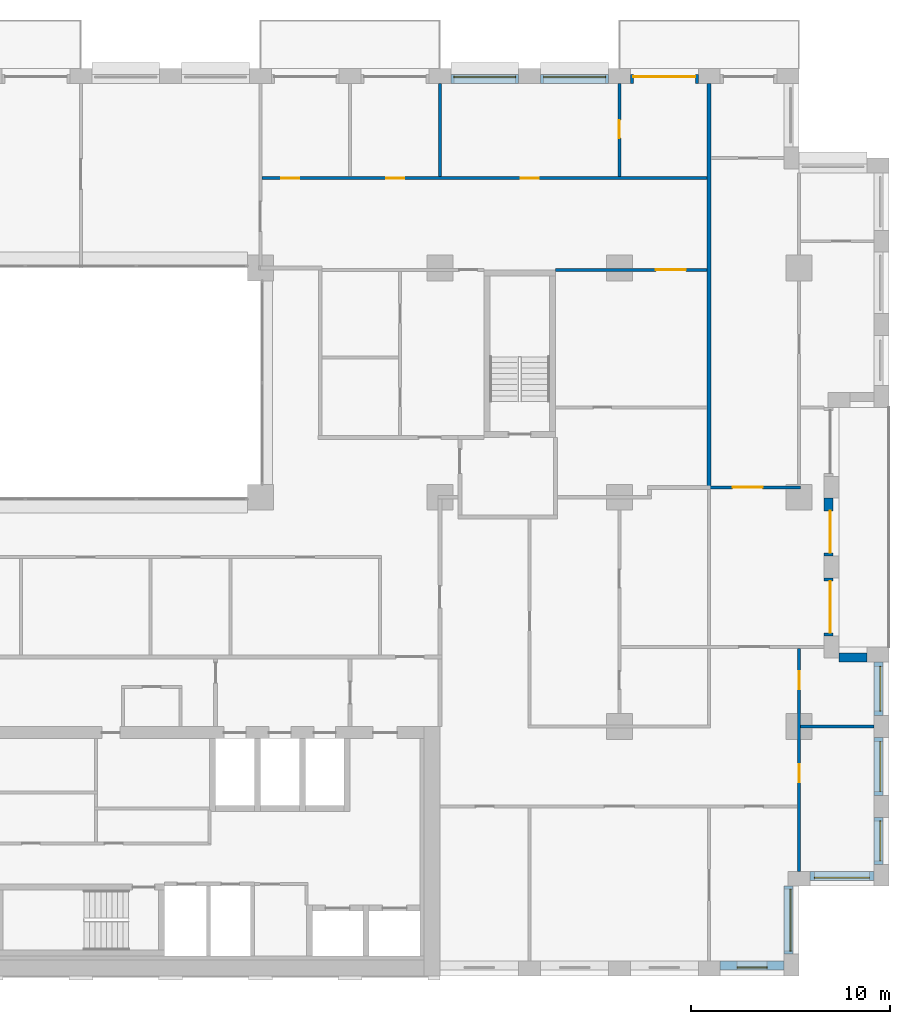
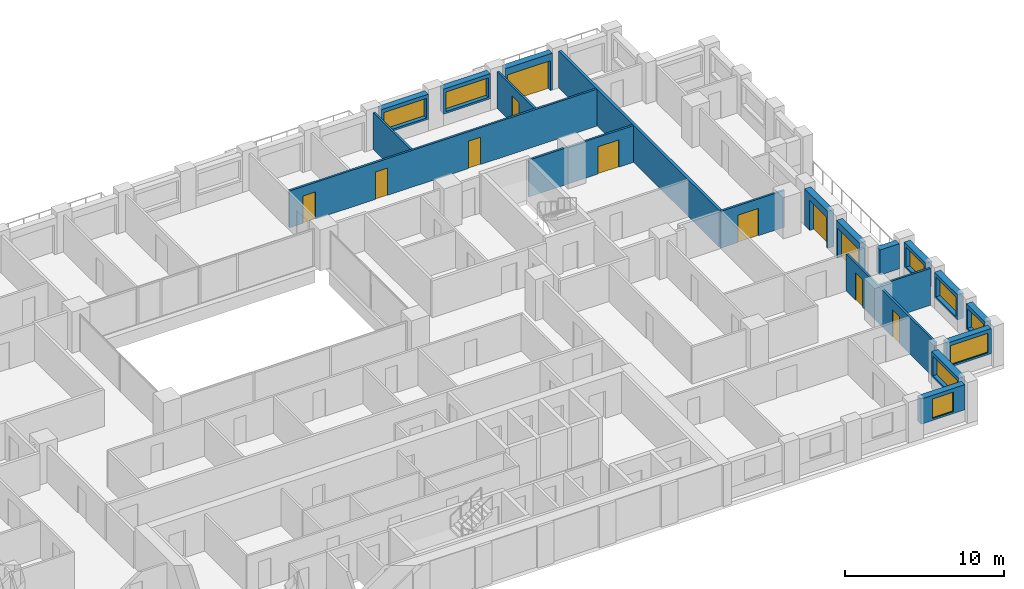
# One storey, part 14 of 16: 20 walls, 11 doors, 8 windows, 19 openings.
"""IFC4 building model written with IfcOpenShell, lengths in metres."""

from ifc_helpers import new_model, si_unit, direction, frame, frame_2d, origin, place, context, subcontext, project, spatial, rectangle, extrude, material, layer, layer_set, type_object, element, fill, save


model = new_model("IFC4")

# Units and contexts
model_context = context("Model", 3, precision=1e-05, world=origin(), true_north=direction((0.0, 1.0)))
body_context = subcontext(model_context, "Body", "Model", "MODEL_VIEW")
ifc_project = project(units=[si_unit("LENGTHUNIT", "METRE"), si_unit("AREAUNIT", "SQUARE_METRE"), si_unit("VOLUMEUNIT", "CUBIC_METRE"), si_unit("PLANEANGLEUNIT", "RADIAN"), si_unit("MASSUNIT", "GRAM", prefix="KILO")], contexts=[model_context])

# Site, building, storey
site_placement = place(None, origin())
site = spatial("IfcSite", under=ifc_project, at=site_placement, CompositionType="ELEMENT")
building_placement = place(site_placement, origin())
building = spatial("IfcBuilding", under=site, at=building_placement, Name="Brigalow Station Residences", CompositionType="ELEMENT")
storey_placement = place(building_placement, frame((0.0, 0.0, 121.35009765625)))
storey = spatial("IfcBuildingStorey", under=building, at=storey_placement, Name="L35", CompositionType="ELEMENT", Elevation=121.35009765625)

# Wall, opening, window
ifc_material_1 = material(Name="Clay brick masonry", Category="masonry")
ifc_layer_1 = layer(ifc_material_1, 0.449951171875)
ifc_layer_set_1 = layer_set([ifc_layer_1], Name="BRICK INFILL WALL 450")
wall_type_1 = type_object("IfcWallType", Name="BRICK INFILL WALL 450", PredefinedType="SOLIDWALL", material=ifc_layer_set_1)
wall_1_placement = place(storey_placement, frame((68.050048828125, 0.52490234375, 0.89990234375), z_axis=(0.0, 0.0, 1.0), x_axis=(1.0, 0.0, 0.0)))
wall_1 = element("IfcWall", 1, at=wall_1_placement, inside=storey, type_object=wall_type_1, Name="L35/ewall/W-L35-7", PredefinedType="SOLIDWALL", context=body_context, shape_type="SweptSolid", body=[
    extrude(rectangle(XDim=3.199951171875, YDim=0.449951171875, at=frame_2d((1.60009765625, 0.0))), origin(), (0.0, 0.0, 1.0), 1.929931640625),
])
opening_1_placement = place(wall_1_placement, frame((0.85009765625, 0.0, 0.14990234375)))
opening_1 = element("IfcOpeningElement", 2, at=opening_1_placement, cuts=wall_1, Name="Opening WT-1", PredefinedType="OPENING", context=body_context, shape_type="SweptSolid", body=[
    extrude(rectangle(XDim=1.5, YDim=1.5, at=frame_2d((0.75, 0.75))), frame((0.0, 0.23486328125, 0.0), z_axis=(0.0, -1.0, 0.0), x_axis=(1.0, 0.0, 0.0)), (0.0, 0.0, 1.0), 0.469970703125),
])
ifc_material_2 = material(Name="Anodised aluminium frame with double glazing", Category="aluminium")
window_type_1 = type_object("IfcWindowType", Name="WINDOW 1500x1500", PartitioningType="SINGLE_PANEL", PredefinedType="WINDOW", material=ifc_material_2)
window_1_placement = place(opening_1_placement, origin())
window_1 = element("IfcWindow", 3, at=window_1_placement, inside=storey, type_object=window_type_1, Name="L35/window/W-L35-7", OverallHeight=1.5, OverallWidth=1.5, PartitioningType="SINGLE_PANEL", PredefinedType="WINDOW", context=body_context, shape_type="SweptSolid", body=[
    extrude(rectangle(XDim=1.5, YDim=1.5, at=frame_2d((0.75, 0.75))), frame((0.0, -0.06494140625, 0.0), z_axis=(0.0, -1.0, 0.0), x_axis=(1.0, 0.0, 0.0)), (0.0, 0.0, 1.0), 0.06005859375),
])
fill(opening_1, window_1)

wall_2_placement = place(storey_placement, frame((71.47509765625, 1.10009765625, 0.89990234375), z_axis=(0.0, 0.0, 1.0), x_axis=(0.0, 1.0, 0.0)))
wall_2 = element("IfcWall", 4, at=wall_2_placement, inside=storey, type_object=wall_type_1, Name="L35/ewall/W-L35-8", PredefinedType="SOLIDWALL", context=body_context, shape_type="SweptSolid", body=[
    extrude(rectangle(XDim=3.39990234375, YDim=0.449951171875, at=frame_2d((1.699951171875, 0.0))), origin(), (0.0, 0.0, 1.0), 1.929931640625),
])
opening_2_placement = place(wall_2_placement, frame((0.14990234375, 0.0, 0.14990234375)))
opening_2 = element("IfcOpeningElement", 5, at=opening_2_placement, cuts=wall_2, Name="Opening WT-8", PredefinedType="OPENING", context=body_context, shape_type="SweptSolid", body=[
    extrude(rectangle(XDim=3.10009765625, YDim=1.5, at=frame_2d((1.550048828125, 0.75))), frame((0.0, 0.23486328125, 0.0), z_axis=(0.0, -1.0, 0.0), x_axis=(1.0, 0.0, 0.0)), (0.0, 0.0, 1.0), 0.469970703125),
])
ifc_material_3 = material(Name="Anodised aluminium frame with double glazing", Category="aluminium")
window_type_2 = type_object("IfcWindowType", Name="WINDOW 3100x1500", PartitioningType="SINGLE_PANEL", PredefinedType="WINDOW", material=ifc_material_3)
window_2_placement = place(opening_2_placement, origin())
window_2 = element("IfcWindow", 6, at=window_2_placement, inside=storey, type_object=window_type_2, Name="L35/window/W-L35-8", OverallHeight=1.5, OverallWidth=3.10009765625, PartitioningType="SINGLE_PANEL", PredefinedType="WINDOW", context=body_context, shape_type="SweptSolid", body=[
    extrude(rectangle(XDim=3.10009765625, YDim=1.5, at=frame_2d((1.550048828125, 0.75))), frame((0.0, -0.06494140625, 0.0), z_axis=(0.0, -1.0, 0.0), x_axis=(1.0, 0.0, 0.0)), (0.0, 0.0, 1.0), 0.06005859375),
])
fill(opening_2, window_2)

wall_3_placement = place(storey_placement, frame((72.550048828125, 5.02490234375, 0.89990234375), z_axis=(0.0, 0.0, 1.0), x_axis=(1.0, 0.0, 0.0)))
wall_3 = element("IfcWall", 7, at=wall_3_placement, inside=storey, type_object=wall_type_1, Name="L35/ewall/W-L35-9", PredefinedType="SOLIDWALL", context=body_context, shape_type="SweptSolid", body=[
    extrude(rectangle(XDim=3.199951171875, YDim=0.449951171875, at=frame_2d((1.60009765625, 0.0))), origin(), (0.0, 0.0, 1.0), 1.929931640625),
])
opening_3_placement = place(wall_3_placement, frame((0.22509765625, 0.0, 0.14990234375)))
opening_3 = element("IfcOpeningElement", 8, at=opening_3_placement, cuts=wall_3, Name="Opening WT-3", PredefinedType="OPENING", context=body_context, shape_type="SweptSolid", body=[
    extrude(rectangle(XDim=2.75, YDim=1.5, at=frame_2d((1.375, 0.75))), frame((0.0, 0.23486328125, 0.0), z_axis=(0.0, -1.0, 0.0), x_axis=(1.0, 0.0, 0.0)), (0.0, 0.0, 1.0), 0.469970703125),
])
ifc_material_4 = material(Name="Anodised aluminium frame with double glazing", Category="aluminium")
window_type_3 = type_object("IfcWindowType", Name="WINDOW 2750x1500", PartitioningType="SINGLE_PANEL", PredefinedType="WINDOW", material=ifc_material_4)
window_3_placement = place(opening_3_placement, origin())
window_3 = element("IfcWindow", 9, at=window_3_placement, inside=storey, type_object=window_type_3, Name="L35/window/W-L35-9", OverallHeight=1.5, OverallWidth=2.75, PartitioningType="SINGLE_PANEL", PredefinedType="WINDOW", context=body_context, shape_type="SweptSolid", body=[
    extrude(rectangle(XDim=2.75, YDim=1.5, at=frame_2d((1.375, 0.75))), frame((0.0, -0.06494140625, 0.0), z_axis=(0.0, -1.0, 0.0), x_axis=(1.0, 0.0, 0.0)), (0.0, 0.0, 1.0), 0.06005859375),
])
fill(opening_3, window_3)

wall_4_placement = place(storey_placement, frame((75.97509765625, 5.60009765625, 0.89990234375), z_axis=(0.0, 0.0, 1.0), x_axis=(0.0, 1.0, 0.0)))
wall_4 = element("IfcWall", 10, at=wall_4_placement, inside=storey, type_object=wall_type_1, Name="L35/ewall/W-L35-10", PredefinedType="SOLIDWALL", context=body_context, shape_type="SweptSolid", body=[
    extrude(rectangle(XDim=2.349853515625, YDim=0.449951171875, at=frame_2d((1.1748046875, 0.0))), origin(), (0.0, 0.0, 1.0), 1.929931640625),
])
opening_4_placement = place(wall_4_placement, frame((0.175048828125, 0.0, 0.14990234375)))
opening_4 = element("IfcOpeningElement", 11, at=opening_4_placement, cuts=wall_4, Name="Opening WT-7", PredefinedType="OPENING", context=body_context, shape_type="SweptSolid", body=[
    extrude(rectangle(XDim=2.0, YDim=1.5, at=frame_2d((1.0, 0.75))), frame((0.0, 0.23486328125, 0.0), z_axis=(0.0, -1.0, 0.0), x_axis=(1.0, 0.0, 0.0)), (0.0, 0.0, 1.0), 0.469970703125),
])
ifc_material_5 = material(Name="Anodised aluminium frame with double glazing", Category="aluminium")
window_type_4 = type_object("IfcWindowType", Name="WINDOW 2000x1500", PartitioningType="SINGLE_PANEL", PredefinedType="WINDOW", material=ifc_material_5)
window_4_placement = place(opening_4_placement, origin())
window_4 = element("IfcWindow", 12, at=window_4_placement, inside=storey, type_object=window_type_4, Name="L35/window/W-L35-10", OverallHeight=1.5, OverallWidth=2.0, PartitioningType="SINGLE_PANEL", PredefinedType="WINDOW", context=body_context, shape_type="SweptSolid", body=[
    extrude(rectangle(XDim=2.0, YDim=1.5, at=frame_2d((1.0, 0.75))), frame((0.0, -0.06494140625, 0.0), z_axis=(0.0, -1.0, 0.0), x_axis=(1.0, 0.0, 0.0)), (0.0, 0.0, 1.0), 0.06005859375),
])
fill(opening_4, window_4)

wall_5_placement = place(storey_placement, frame((75.97509765625, 9.050048828125, 0.89990234375), z_axis=(0.0, 0.0, 1.0), x_axis=(0.0, 1.0, 0.0)))
wall_5 = element("IfcWall", 13, at=wall_5_placement, inside=storey, type_object=wall_type_1, Name="L35/ewall/W-L35-11", PredefinedType="SOLIDWALL", context=body_context, shape_type="SweptSolid", body=[
    extrude(rectangle(XDim=2.89990234375, YDim=0.449951171875, at=frame_2d((1.449951171875, 0.0))), origin(), (0.0, 0.0, 1.0), 1.929931640625),
])
opening_5_placement = place(wall_5_placement, frame((0.199951171875, 0.0, 0.14990234375)))
opening_5 = element("IfcOpeningElement", 14, at=opening_5_placement, cuts=wall_5, Name="Opening WT-5", PredefinedType="OPENING", context=body_context, shape_type="SweptSolid", body=[
    extrude(rectangle(XDim=2.5, YDim=1.5, at=frame_2d((1.25, 0.75))), frame((0.0, 0.23486328125, 0.0), z_axis=(0.0, -1.0, 0.0), x_axis=(1.0, 0.0, 0.0)), (0.0, 0.0, 1.0), 0.469970703125),
])
ifc_material_6 = material(Name="Anodised aluminium frame with double glazing", Category="aluminium")
window_type_5 = type_object("IfcWindowType", Name="WINDOW 2500x1500", PartitioningType="SINGLE_PANEL", PredefinedType="WINDOW", material=ifc_material_6)
window_5_placement = place(opening_5_placement, origin())
window_5 = element("IfcWindow", 15, at=window_5_placement, inside=storey, type_object=window_type_5, Name="L35/window/W-L35-11", OverallHeight=1.5, OverallWidth=2.5, PartitioningType="SINGLE_PANEL", PredefinedType="WINDOW", context=body_context, shape_type="SweptSolid", body=[
    extrude(rectangle(XDim=2.5, YDim=1.5, at=frame_2d((1.25, 0.75))), frame((0.0, -0.06494140625, 0.0), z_axis=(0.0, -1.0, 0.0), x_axis=(1.0, 0.0, 0.0)), (0.0, 0.0, 1.0), 0.06005859375),
])
fill(opening_5, window_5)

wall_6_placement = place(storey_placement, frame((75.97509765625, 13.050048828125, 0.89990234375), z_axis=(0.0, 0.0, 1.0), x_axis=(0.0, 1.0, 0.0)))
wall_6 = element("IfcWall", 16, at=wall_6_placement, inside=storey, type_object=wall_type_1, Name="L35/ewall/W-L35-12", PredefinedType="SOLIDWALL", context=body_context, shape_type="SweptSolid", body=[
    extrude(rectangle(XDim=2.699951171875, YDim=0.449951171875, at=frame_2d((1.35009765625, 0.0))), origin(), (0.0, 0.0, 1.0), 1.929931640625),
])
opening_6_placement = place(wall_6_placement, frame((0.22509765625, 0.0, 0.14990234375)))
opening_6 = element("IfcOpeningElement", 17, at=opening_6_placement, cuts=wall_6, Name="Opening WT-6", PredefinedType="OPENING", context=body_context, shape_type="SweptSolid", body=[
    extrude(rectangle(XDim=2.25, YDim=1.5, at=frame_2d((1.125, 0.75))), frame((0.0, 0.23486328125, 0.0), z_axis=(0.0, -1.0, 0.0), x_axis=(1.0, 0.0, 0.0)), (0.0, 0.0, 1.0), 0.469970703125),
])
ifc_material_7 = material(Name="Anodised aluminium frame with double glazing", Category="aluminium")
window_type_6 = type_object("IfcWindowType", Name="WINDOW 2250x1500", PartitioningType="SINGLE_PANEL", PredefinedType="WINDOW", material=ifc_material_7)
window_6_placement = place(opening_6_placement, origin())
window_6 = element("IfcWindow", 18, at=window_6_placement, inside=storey, type_object=window_type_6, Name="L35/window/W-L35-12", OverallHeight=1.5, OverallWidth=2.25, PartitioningType="SINGLE_PANEL", PredefinedType="WINDOW", context=body_context, shape_type="SweptSolid", body=[
    extrude(rectangle(XDim=2.25, YDim=1.5, at=frame_2d((1.125, 0.75))), frame((0.0, -0.06494140625, 0.0), z_axis=(0.0, -1.0, 0.0), x_axis=(1.0, 0.0, 0.0)), (0.0, 0.0, 1.0), 0.06005859375),
])
fill(opening_6, window_6)

# Wall
wall_7_placement = place(storey_placement, frame((75.39990234375, 15.97509765625, 0.89990234375), z_axis=(0.0, 0.0, 1.0), x_axis=(-1.0, 0.0, 0.0)))
element("IfcWall", 19, at=wall_7_placement, inside=storey, type_object=wall_type_1, Name="L35/ewall/W-L35-13", PredefinedType="SOLIDWALL", context=body_context, shape_type="SweptSolid", body=[
    extrude(rectangle(XDim=1.39990234375, YDim=0.449951171875, at=frame_2d((0.699951171875, 0.0))), origin(), (0.0, 0.0, 1.0), 1.929931640625),
])

# Wall, opening, door
wall_8_placement = place(storey_placement, frame((73.47509765625, 17.050048828125, 0.0), z_axis=(0.0, 0.0, 1.0), x_axis=(0.0, 1.0, 0.0)))
wall_8 = element("IfcWall", 20, at=wall_8_placement, inside=storey, type_object=wall_type_1, Name="L35/ewall/W-L35-14", PredefinedType="SOLIDWALL", context=body_context, shape_type="SweptSolid", body=[
    extrude(rectangle(XDim=2.89990234375, YDim=0.449951171875, at=frame_2d((1.449951171875, 0.0))), origin(), (0.0, 0.0, 1.0), 2.829833984375),
])
opening_7_placement = place(wall_8_placement, frame((0.14990234375, 0.0, 0.0)))
opening_7 = element("IfcOpeningElement", 21, at=opening_7_placement, cuts=wall_8, Name="Opening D-B2600", PredefinedType="OPENING", context=body_context, shape_type="SweptSolid", body=[
    extrude(rectangle(XDim=2.60009765625, YDim=2.300048828125, at=frame_2d((1.300048828125, 1.14990234375))), frame((0.0, 0.23486328125, 0.0), z_axis=(0.0, -1.0, 0.0), x_axis=(1.0, 0.0, 0.0)), (0.0, 0.0, 1.0), 0.469970703125),
])
ifc_material_8 = material(Name="Anodised aluminium frame with double glazing", Category="aluminium")
door_type_1 = type_object("IfcDoorType", Name="BALCONY SLIDING DOOR 2600x2300", OperationType="SLIDING_TO_LEFT", PredefinedType="DOOR", material=ifc_material_8)
door_1_placement = place(opening_7_placement, origin())
door_1 = element("IfcDoor", 22, at=door_1_placement, inside=storey, type_object=door_type_1, Name="L35/balcony-door/W-L35-14", OperationType="SLIDING_TO_LEFT", OverallHeight=2.300048828125, OverallWidth=2.60009765625, PredefinedType="DOOR", context=body_context, shape_type="SweptSolid", body=[
    extrude(rectangle(XDim=2.60009765625, YDim=2.300048828125, at=frame_2d((1.300048828125, 1.14990234375))), frame((0.0, -0.06982421875, 0.0), z_axis=(0.0, -1.0, 0.0), x_axis=(1.0, 0.0, 0.0)), (0.0, 0.0, 1.0), 0.050048828125),
])
fill(opening_7, door_1)

wall_9_placement = place(storey_placement, frame((73.47509765625, 21.050048828125, 0.0), z_axis=(0.0, 0.0, 1.0), x_axis=(0.0, 1.0, 0.0)))
wall_9 = element("IfcWall", 23, at=wall_9_placement, inside=storey, type_object=wall_type_1, Name="L35/ewall/W-L35-15", PredefinedType="SOLIDWALL", context=body_context, shape_type="SweptSolid", body=[
    extrude(rectangle(XDim=2.89990234375, YDim=0.449951171875, at=frame_2d((1.449951171875, 0.0))), origin(), (0.0, 0.0, 1.0), 2.829833984375),
])
opening_8_placement = place(wall_9_placement, frame((0.1650390625, 0.0, 0.0)))
opening_8 = element("IfcOpeningElement", 24, at=opening_8_placement, cuts=wall_9, Name="Opening D-B2100", PredefinedType="OPENING", context=body_context, shape_type="SweptSolid", body=[
    extrude(rectangle(XDim=2.10009765625, YDim=2.300048828125, at=frame_2d((1.050048828125, 1.14990234375))), frame((0.0, 0.23486328125, 0.0), z_axis=(0.0, -1.0, 0.0), x_axis=(1.0, 0.0, 0.0)), (0.0, 0.0, 1.0), 0.469970703125),
])
ifc_material_9 = material(Name="Anodised aluminium frame with double glazing", Category="aluminium")
door_type_2 = type_object("IfcDoorType", Name="BALCONY SLIDING DOOR 2100x2300", OperationType="SLIDING_TO_LEFT", PredefinedType="DOOR", material=ifc_material_9)
door_2_placement = place(opening_8_placement, origin())
door_2 = element("IfcDoor", 25, at=door_2_placement, inside=storey, type_object=door_type_2, Name="L35/balcony-door/W-L35-15", OperationType="SLIDING_TO_LEFT", OverallHeight=2.300048828125, OverallWidth=2.10009765625, PredefinedType="DOOR", context=body_context, shape_type="SweptSolid", body=[
    extrude(rectangle(XDim=2.10009765625, YDim=2.300048828125, at=frame_2d((1.050048828125, 1.14990234375))), frame((0.0, -0.06982421875, 0.0), z_axis=(0.0, -1.0, 0.0), x_axis=(1.0, 0.0, 0.0)), (0.0, 0.0, 1.0), 0.050048828125),
])
fill(opening_8, door_2)

wall_10_placement = place(storey_placement, frame((66.949951171875, 44.97509765625, 0.0), z_axis=(0.0, 0.0, 1.0), x_axis=(-1.0, 0.0, 0.0)))
wall_10 = element("IfcWall", 26, at=wall_10_placement, inside=storey, type_object=wall_type_1, Name="L35/ewall/W-L35-24", PredefinedType="SOLIDWALL", context=body_context, shape_type="SweptSolid", body=[
    extrude(rectangle(XDim=3.39990234375, YDim=0.449951171875, at=frame_2d((1.699951171875, 0.0))), origin(), (0.0, 0.0, 1.0), 2.829833984375),
])
opening_9_placement = place(wall_10_placement, frame((0.14990234375, 0.0, 0.0)))
opening_9 = element("IfcOpeningElement", 27, at=opening_9_placement, cuts=wall_10, Name="Opening D-B3100", PredefinedType="OPENING", context=body_context, shape_type="SweptSolid", body=[
    extrude(rectangle(XDim=3.10009765625, YDim=2.300048828125, at=frame_2d((1.550048828125, 1.14990234375))), frame((0.0, 0.23486328125, 0.0), z_axis=(0.0, -1.0, 0.0), x_axis=(1.0, 0.0, 0.0)), (0.0, 0.0, 1.0), 0.469970703125),
])
ifc_material_10 = material(Name="Anodised aluminium frame with double glazing", Category="aluminium")
door_type_3 = type_object("IfcDoorType", Name="BALCONY SLIDING DOOR 3100x2300", OperationType="SLIDING_TO_LEFT", PredefinedType="DOOR", material=ifc_material_10)
door_3_placement = place(opening_9_placement, origin())
door_3 = element("IfcDoor", 28, at=door_3_placement, inside=storey, type_object=door_type_3, Name="L35/balcony-door/W-L35-24", OperationType="SLIDING_TO_LEFT", OverallHeight=2.300048828125, OverallWidth=3.10009765625, PredefinedType="DOOR", context=body_context, shape_type="SweptSolid", body=[
    extrude(rectangle(XDim=3.10009765625, YDim=2.300048828125, at=frame_2d((1.550048828125, 1.14990234375))), frame((0.0, -0.06982421875, 0.0), z_axis=(0.0, -1.0, 0.0), x_axis=(1.0, 0.0, 0.0)), (0.0, 0.0, 1.0), 0.050048828125),
])
fill(opening_9, door_3)

# Wall, opening, window
wall_11_placement = place(storey_placement, frame((62.449951171875, 44.97509765625, 0.89990234375), z_axis=(0.0, 0.0, 1.0), x_axis=(-1.0, 0.0, 0.0)))
wall_11 = element("IfcWall", 29, at=wall_11_placement, inside=storey, type_object=wall_type_1, Name="L35/ewall/W-L35-25", PredefinedType="SOLIDWALL", context=body_context, shape_type="SweptSolid", body=[
    extrude(rectangle(XDim=3.39990234375, YDim=0.449951171875, at=frame_2d((1.699951171875, 0.0))), origin(), (0.0, 0.0, 1.0), 1.929931640625),
])
opening_10_placement = place(wall_11_placement, frame((0.14990234375, 0.0, 0.14990234375)))
opening_10 = element("IfcOpeningElement", 30, at=opening_10_placement, cuts=wall_11, Name="Opening WT-8", PredefinedType="OPENING", context=body_context, shape_type="SweptSolid", body=[
    extrude(rectangle(XDim=3.10009765625, YDim=1.5, at=frame_2d((1.550048828125, 0.75))), frame((0.0, 0.23486328125, 0.0), z_axis=(0.0, -1.0, 0.0), x_axis=(1.0, 0.0, 0.0)), (0.0, 0.0, 1.0), 0.469970703125),
])
window_7_placement = place(opening_10_placement, origin())
window_7 = element("IfcWindow", 31, at=window_7_placement, inside=storey, type_object=window_type_2, Name="L35/window/W-L35-25", OverallHeight=1.5, OverallWidth=3.10009765625, PartitioningType="SINGLE_PANEL", PredefinedType="WINDOW", context=body_context, shape_type="SweptSolid", body=[
    extrude(rectangle(XDim=3.10009765625, YDim=1.5, at=frame_2d((1.550048828125, 0.75))), frame((0.0, -0.06494140625, 0.0), z_axis=(0.0, -1.0, 0.0), x_axis=(1.0, 0.0, 0.0)), (0.0, 0.0, 1.0), 0.06005859375),
])
fill(opening_10, window_7)

wall_12_placement = place(storey_placement, frame((57.949951171875, 44.97509765625, 0.89990234375), z_axis=(0.0, 0.0, 1.0), x_axis=(-1.0, 0.0, 0.0)))
wall_12 = element("IfcWall", 32, at=wall_12_placement, inside=storey, type_object=wall_type_1, Name="L35/ewall/W-L35-26", PredefinedType="SOLIDWALL", context=body_context, shape_type="SweptSolid", body=[
    extrude(rectangle(XDim=3.39990234375, YDim=0.449951171875, at=frame_2d((1.699951171875, 0.0))), origin(), (0.0, 0.0, 1.0), 1.929931640625),
])
opening_11_placement = place(wall_12_placement, frame((0.14990234375, 0.0, 0.14990234375)))
opening_11 = element("IfcOpeningElement", 33, at=opening_11_placement, cuts=wall_12, Name="Opening WT-8", PredefinedType="OPENING", context=body_context, shape_type="SweptSolid", body=[
    extrude(rectangle(XDim=3.10009765625, YDim=1.5, at=frame_2d((1.550048828125, 0.75))), frame((0.0, 0.23486328125, 0.0), z_axis=(0.0, -1.0, 0.0), x_axis=(1.0, 0.0, 0.0)), (0.0, 0.0, 1.0), 0.469970703125),
])
window_8_placement = place(opening_11_placement, origin())
window_8 = element("IfcWindow", 34, at=window_8_placement, inside=storey, type_object=window_type_2, Name="L35/window/W-L35-26", OverallHeight=1.5, OverallWidth=3.10009765625, PartitioningType="SINGLE_PANEL", PredefinedType="WINDOW", context=body_context, shape_type="SweptSolid", body=[
    extrude(rectangle(XDim=3.10009765625, YDim=1.5, at=frame_2d((1.550048828125, 0.75))), frame((0.0, -0.06494140625, 0.0), z_axis=(0.0, -1.0, 0.0), x_axis=(1.0, 0.0, 0.0)), (0.0, 0.0, 1.0), 0.06005859375),
])
fill(opening_11, window_8)

# Wall
ifc_material_11 = material(Name="Plasterboard on steel stud partition", Category="steel")
ifc_layer_2 = layer(ifc_material_11, 0.14990234375)
ifc_layer_set_2 = layer_set([ifc_layer_2], Name="FLAT PARTITION 150")
wall_type_2 = type_object("IfcWallType", Name="FLAT PARTITION 150", PredefinedType="PARTITIONING", material=ifc_layer_set_2)
wall_13_placement = place(storey_placement, frame((72.074951171875, 12.5, 0.0), z_axis=(0.0, 0.0, 1.0), x_axis=(1.0, 0.0, 0.0)))
element("IfcWall", 35, at=wall_13_placement, inside=storey, type_object=wall_type_2, Name="PW-2E13", PredefinedType="PARTITIONING", context=body_context, shape_type="SweptSolid", body=[
    extrude(rectangle(XDim=3.675048828125, YDim=0.14990234375, at=frame_2d((1.83740234375, 0.0))), origin(), (0.0, 0.0, 1.0), 2.829833984375),
])

# Wall, opening, door
wall_14_placement = place(storey_placement, frame((67.425048828125, 24.5, 0.0), z_axis=(0.0, 0.0, 1.0), x_axis=(1.0, 0.0, 0.0)))
wall_14 = element("IfcWall", 36, at=wall_14_placement, inside=storey, type_object=wall_type_2, Name="PW-2E19", PredefinedType="PARTITIONING", context=body_context, shape_type="SweptSolid", body=[
    extrude(rectangle(XDim=4.64990234375, YDim=0.14990234375, at=frame_2d((2.324951171875, 0.0))), origin(), (0.0, 0.0, 1.0), 2.829833984375),
])
opening_12_placement = place(wall_14_placement, frame((1.25, 0.0, 0.0)))
opening_12 = element("IfcOpeningElement", 37, at=opening_12_placement, cuts=wall_14, Name="Opening D-2E41", PredefinedType="OPENING", context=body_context, shape_type="SweptSolid", body=[
    extrude(rectangle(XDim=1.5, YDim=2.10009765625, at=frame_2d((0.75, 1.050048828125))), frame((0.0, 0.0849609375, 0.0), z_axis=(0.0, -1.0, 0.0), x_axis=(1.0, 0.0, 0.0)), (0.0, 0.0, 1.0), 0.169921875),
])
ifc_material_12 = material(Name="Solid-core timber door leaf", Category="wood")
door_type_4 = type_object("IfcDoorType", Name="INTERNAL DOUBLE DOOR 1500 x 2100", OperationType="DOUBLE_DOOR_SINGLE_SWING", PredefinedType="DOOR", material=ifc_material_12)
door_4_placement = place(opening_12_placement, frame((1.5, 0.0, 0.0), z_axis=(0.0, 0.0, 1.0), x_axis=(-1.0, 0.0, 0.0)))
door_4 = element("IfcDoor", 38, at=door_4_placement, inside=storey, type_object=door_type_4, Name="D-2E41", OperationType="DOUBLE_DOOR_SINGLE_SWING", OverallHeight=2.10009765625, OverallWidth=1.5, PredefinedType="DOOR", context=body_context, shape_type="SweptSolid", body=[
    extrude(rectangle(XDim=1.5, YDim=2.10009765625, at=frame_2d((0.75, 1.050048828125))), frame((0.0, 0.02490234375, 0.0), z_axis=(0.0, -1.0, 0.0), x_axis=(1.0, 0.0, 0.0)), (0.0, 0.0, 1.0), 0.050048828125),
])
fill(opening_12, door_4)

wall_15_placement = place(storey_placement, frame((59.800048828125, 35.39990234375, 0.0), z_axis=(0.0, 0.0, 1.0), x_axis=(1.0, 0.0, 0.0)))
wall_15 = element("IfcWall", 39, at=wall_15_placement, inside=storey, type_object=wall_type_2, Name="PW-2E29", PredefinedType="PARTITIONING", context=body_context, shape_type="SweptSolid", body=[
    extrude(rectangle(XDim=7.599853515625, YDim=0.14990234375, at=frame_2d((3.7998046875, 0.0))), origin(), (0.0, 0.0, 1.0), 2.829833984375),
])
opening_13_placement = place(wall_15_placement, frame((5.02490234375, 0.0, 0.0)))
opening_13 = element("IfcOpeningElement", 40, at=opening_13_placement, cuts=wall_15, Name="Opening D-2E28", PredefinedType="OPENING", context=body_context, shape_type="SweptSolid", body=[
    extrude(rectangle(XDim=1.5, YDim=2.10009765625, at=frame_2d((0.75, 1.050048828125))), frame((0.0, 0.0849609375, 0.0), z_axis=(0.0, -1.0, 0.0), x_axis=(1.0, 0.0, 0.0)), (0.0, 0.0, 1.0), 0.169921875),
])
door_5_placement = place(opening_13_placement, frame((1.5, 0.0, 0.0), z_axis=(0.0, 0.0, 1.0), x_axis=(-1.0, 0.0, 0.0)))
door_5 = element("IfcDoor", 41, at=door_5_placement, inside=storey, type_object=door_type_4, Name="D-2E28", OperationType="DOUBLE_DOOR_SINGLE_SWING", OverallHeight=2.10009765625, OverallWidth=1.5, PredefinedType="DOOR", context=body_context, shape_type="SweptSolid", body=[
    extrude(rectangle(XDim=1.5, YDim=2.10009765625, at=frame_2d((0.75, 1.050048828125))), frame((0.0, 0.02490234375, 0.0), z_axis=(0.0, -1.0, 0.0), x_axis=(1.0, 0.0, 0.0)), (0.0, 0.0, 1.0), 0.050048828125),
])
fill(opening_13, door_5)

# Wall, openings, doors
wall_16_placement = place(storey_placement, frame((45.074951171875, 40.0, 0.0), z_axis=(0.0, 0.0, 1.0), x_axis=(1.0, 0.0, 0.0)))
wall_16 = element("IfcWall", 42, at=wall_16_placement, inside=storey, type_object=wall_type_2, Name="PW-2E33", PredefinedType="PARTITIONING", context=body_context, shape_type="SweptSolid", body=[
    extrude(rectangle(XDim=22.324951171875, YDim=0.14990234375, at=frame_2d((11.16259765625, 0.0))), origin(), (0.0, 0.0, 1.0), 2.829833984375),
])
opening_14_placement = place(wall_16_placement, frame((0.97509765625, 0.0, 0.0)))
opening_14 = element("IfcOpeningElement", 43, at=opening_14_placement, cuts=wall_16, Name="Opening D-2E24", PredefinedType="OPENING", context=body_context, shape_type="SweptSolid", body=[
    extrude(rectangle(XDim=0.89990234375, YDim=2.10009765625, at=frame_2d((0.449951171875, 1.050048828125))), frame((0.0, 0.0849609375, 0.0), z_axis=(0.0, -1.0, 0.0), x_axis=(1.0, 0.0, 0.0)), (0.0, 0.0, 1.0), 0.169921875),
])
opening_15_placement = place(wall_16_placement, frame((6.22509765625, 0.0, 0.0)))
opening_15 = element("IfcOpeningElement", 44, at=opening_15_placement, cuts=wall_16, Name="Opening D-2E25", PredefinedType="OPENING", context=body_context, shape_type="SweptSolid", body=[
    extrude(rectangle(XDim=0.89990234375, YDim=2.10009765625, at=frame_2d((0.449951171875, 1.050048828125))), frame((0.0, 0.0849609375, 0.0), z_axis=(0.0, -1.0, 0.0), x_axis=(1.0, 0.0, 0.0)), (0.0, 0.0, 1.0), 0.169921875),
])
opening_16_placement = place(wall_16_placement, frame((12.97509765625, 0.0, 0.0)))
opening_16 = element("IfcOpeningElement", 45, at=opening_16_placement, cuts=wall_16, Name="Opening D-2E26", PredefinedType="OPENING", context=body_context, shape_type="SweptSolid", body=[
    extrude(rectangle(XDim=0.89990234375, YDim=2.10009765625, at=frame_2d((0.449951171875, 1.050048828125))), frame((0.0, 0.0849609375, 0.0), z_axis=(0.0, -1.0, 0.0), x_axis=(1.0, 0.0, 0.0)), (0.0, 0.0, 1.0), 0.169921875),
])
ifc_material_13 = material(Name="Solid-core timber door leaf", Category="wood")
door_type_5 = type_object("IfcDoorType", Name="INTERNAL DOOR 900 x 2100", OperationType="SINGLE_SWING_LEFT", PredefinedType="DOOR", material=ifc_material_13)
door_6_placement = place(opening_14_placement, origin())
door_6 = element("IfcDoor", 46, at=door_6_placement, inside=storey, type_object=door_type_5, Name="D-2E24", OperationType="SINGLE_SWING_LEFT", OverallHeight=2.10009765625, OverallWidth=0.89990234375, PredefinedType="DOOR", context=body_context, shape_type="SweptSolid", body=[
    extrude(rectangle(XDim=0.89990234375, YDim=2.10009765625, at=frame_2d((0.449951171875, 1.050048828125))), frame((0.0, 0.02490234375, 0.0), z_axis=(0.0, -1.0, 0.0), x_axis=(1.0, 0.0, 0.0)), (0.0, 0.0, 1.0), 0.050048828125),
])
fill(opening_14, door_6)
door_7_placement = place(opening_15_placement, origin())
door_7 = element("IfcDoor", 47, at=door_7_placement, inside=storey, type_object=door_type_5, Name="D-2E25", OperationType="SINGLE_SWING_RIGHT", OverallHeight=2.10009765625, OverallWidth=0.89990234375, PredefinedType="DOOR", context=body_context, shape_type="SweptSolid", body=[
    extrude(rectangle(XDim=0.89990234375, YDim=2.10009765625, at=frame_2d((0.449951171875, 1.050048828125))), frame((0.0, 0.02490234375, 0.0), z_axis=(0.0, -1.0, 0.0), x_axis=(1.0, 0.0, 0.0)), (0.0, 0.0, 1.0), 0.050048828125),
])
fill(opening_15, door_7)
door_8_placement = place(opening_16_placement, origin())
door_8 = element("IfcDoor", 48, at=door_8_placement, inside=storey, type_object=door_type_5, Name="D-2E26", OperationType="SINGLE_SWING_LEFT", OverallHeight=2.10009765625, OverallWidth=0.89990234375, PredefinedType="DOOR", context=body_context, shape_type="SweptSolid", body=[
    extrude(rectangle(XDim=0.89990234375, YDim=2.10009765625, at=frame_2d((0.449951171875, 1.050048828125))), frame((0.0, 0.02490234375, 0.0), z_axis=(0.0, -1.0, 0.0), x_axis=(1.0, 0.0, 0.0)), (0.0, 0.0, 1.0), 0.050048828125),
])
fill(opening_16, door_8)

# Wall
wall_17_placement = place(storey_placement, frame((54.0, 40.074951171875, 0.0), z_axis=(0.0, 0.0, 1.0), x_axis=(0.0, 1.0, 0.0)))
element("IfcWall", 49, at=wall_17_placement, inside=storey, type_object=wall_type_2, Name="PW-2E36", PredefinedType="PARTITIONING", context=body_context, shape_type="SweptSolid", body=[
    extrude(rectangle(XDim=4.675048828125, YDim=0.14990234375, at=frame_2d((2.33740234375, 0.0))), origin(), (0.0, 0.0, 1.0), 2.829833984375),
])

# Wall, opening, door
wall_18_placement = place(storey_placement, frame((63.0, 40.074951171875, 0.0), z_axis=(0.0, 0.0, 1.0), x_axis=(0.0, 1.0, 0.0)))
wall_18 = element("IfcWall", 50, at=wall_18_placement, inside=storey, type_object=wall_type_2, Name="PW-2E60", PredefinedType="PARTITIONING", context=body_context, shape_type="SweptSolid", body=[
    extrude(rectangle(XDim=4.675048828125, YDim=0.14990234375, at=frame_2d((2.33740234375, 0.0))), origin(), (0.0, 0.0, 1.0), 2.829833984375),
])
opening_17_placement = place(wall_18_placement, frame((1.925048828125, 0.0, 0.0)))
opening_17 = element("IfcOpeningElement", 51, at=opening_17_placement, cuts=wall_18, Name="Opening D-2E27", PredefinedType="OPENING", context=body_context, shape_type="SweptSolid", body=[
    extrude(rectangle(XDim=0.89990234375, YDim=2.10009765625, at=frame_2d((0.449951171875, 1.050048828125))), frame((0.0, 0.0849609375, 0.0), z_axis=(0.0, -1.0, 0.0), x_axis=(1.0, 0.0, 0.0)), (0.0, 0.0, 1.0), 0.169921875),
])
door_9_placement = place(opening_17_placement, frame((0.89990234375, 0.0, 0.0), z_axis=(0.0, 0.0, 1.0), x_axis=(-1.0, 0.0, 0.0)))
door_9 = element("IfcDoor", 52, at=door_9_placement, inside=storey, type_object=door_type_5, Name="D-2E27", OperationType="SINGLE_SWING_LEFT", OverallHeight=2.10009765625, OverallWidth=0.89990234375, PredefinedType="DOOR", context=body_context, shape_type="SweptSolid", body=[
    extrude(rectangle(XDim=0.89990234375, YDim=2.10009765625, at=frame_2d((0.449951171875, 1.050048828125))), frame((0.0, 0.02490234375, 0.0), z_axis=(0.0, -1.0, 0.0), x_axis=(1.0, 0.0, 0.0)), (0.0, 0.0, 1.0), 0.050048828125),
])
fill(opening_17, door_9)

# Wall, openings, doors
wall_19_placement = place(storey_placement, frame((72.0, 5.25, 0.0), z_axis=(0.0, 0.0, 1.0), x_axis=(0.0, 1.0, 0.0)))
wall_19 = element("IfcWall", 53, at=wall_19_placement, inside=storey, type_object=wall_type_2, Name="PW-2E64", PredefinedType="PARTITIONING", context=body_context, shape_type="SweptSolid", body=[
    extrude(rectangle(XDim=11.175048828125, YDim=0.14990234375, at=frame_2d((5.58740234375, 0.0))), origin(), (0.0, 0.0, 1.0), 2.829833984375),
])
opening_18_placement = place(wall_19_placement, frame((4.47509765625, 0.0, 0.0)))
opening_18 = element("IfcOpeningElement", 54, at=opening_18_placement, cuts=wall_19, Name="Opening D-2E35", PredefinedType="OPENING", context=body_context, shape_type="SweptSolid", body=[
    extrude(rectangle(XDim=0.89990234375, YDim=2.10009765625, at=frame_2d((0.449951171875, 1.050048828125))), frame((0.0, 0.0849609375, 0.0), z_axis=(0.0, -1.0, 0.0), x_axis=(1.0, 0.0, 0.0)), (0.0, 0.0, 1.0), 0.169921875),
])
opening_19_placement = place(wall_19_placement, frame((9.125, 0.0, 0.0)))
opening_19 = element("IfcOpeningElement", 55, at=opening_19_placement, cuts=wall_19, Name="Opening D-2E39", PredefinedType="OPENING", context=body_context, shape_type="SweptSolid", body=[
    extrude(rectangle(XDim=0.89990234375, YDim=2.10009765625, at=frame_2d((0.449951171875, 1.050048828125))), frame((0.0, 0.0849609375, 0.0), z_axis=(0.0, -1.0, 0.0), x_axis=(1.0, 0.0, 0.0)), (0.0, 0.0, 1.0), 0.169921875),
])
door_10_placement = place(opening_18_placement, frame((0.89990234375, 0.0, 0.0), z_axis=(0.0, 0.0, 1.0), x_axis=(-1.0, 0.0, 0.0)))
door_10 = element("IfcDoor", 56, at=door_10_placement, inside=storey, type_object=door_type_5, Name="D-2E35", OperationType="SINGLE_SWING_LEFT", OverallHeight=2.10009765625, OverallWidth=0.89990234375, PredefinedType="DOOR", context=body_context, shape_type="SweptSolid", body=[
    extrude(rectangle(XDim=0.89990234375, YDim=2.10009765625, at=frame_2d((0.449951171875, 1.050048828125))), frame((0.0, 0.02490234375, 0.0), z_axis=(0.0, -1.0, 0.0), x_axis=(1.0, 0.0, 0.0)), (0.0, 0.0, 1.0), 0.050048828125),
])
fill(opening_18, door_10)
door_11_placement = place(opening_19_placement, frame((0.89990234375, 0.0, 0.0), z_axis=(0.0, 0.0, 1.0), x_axis=(-1.0, 0.0, 0.0)))
door_11 = element("IfcDoor", 57, at=door_11_placement, inside=storey, type_object=door_type_5, Name="D-2E39", OperationType="SINGLE_SWING_LEFT", OverallHeight=2.10009765625, OverallWidth=0.89990234375, PredefinedType="DOOR", context=body_context, shape_type="SweptSolid", body=[
    extrude(rectangle(XDim=0.89990234375, YDim=2.10009765625, at=frame_2d((0.449951171875, 1.050048828125))), frame((0.0, 0.02490234375, 0.0), z_axis=(0.0, -1.0, 0.0), x_axis=(1.0, 0.0, 0.0)), (0.0, 0.0, 1.0), 0.050048828125),
])
fill(opening_19, door_11)

# Wall
ifc_material_14 = material(Name="Plasterboard on steel stud partition", Category="steel")
ifc_layer_3 = layer(ifc_material_14, 0.199951171875)
ifc_layer_set_3 = layer_set([ifc_layer_3], Name="PARTY AND CORRIDOR WALL 200")
wall_type_3 = type_object("IfcWallType", Name="PARTY AND CORRIDOR WALL 200", PredefinedType="PARTITIONING", material=ifc_layer_set_3)
wall_20_placement = place(storey_placement, frame((67.5, 24.574951171875, 0.0), z_axis=(0.0, 0.0, 1.0), x_axis=(0.0, 1.0, 0.0)))
element("IfcWall", 58, at=wall_20_placement, inside=storey, type_object=wall_type_3, Name="PW-2E57", PredefinedType="PARTITIONING", context=body_context, shape_type="SweptSolid", body=[
    extrude(rectangle(XDim=20.175048828125, YDim=0.199951171875, at=frame_2d((10.08740234375, 0.0))), origin(), (0.0, 0.0, 1.0), 2.829833984375),
])

save(model, "model.ifc")
